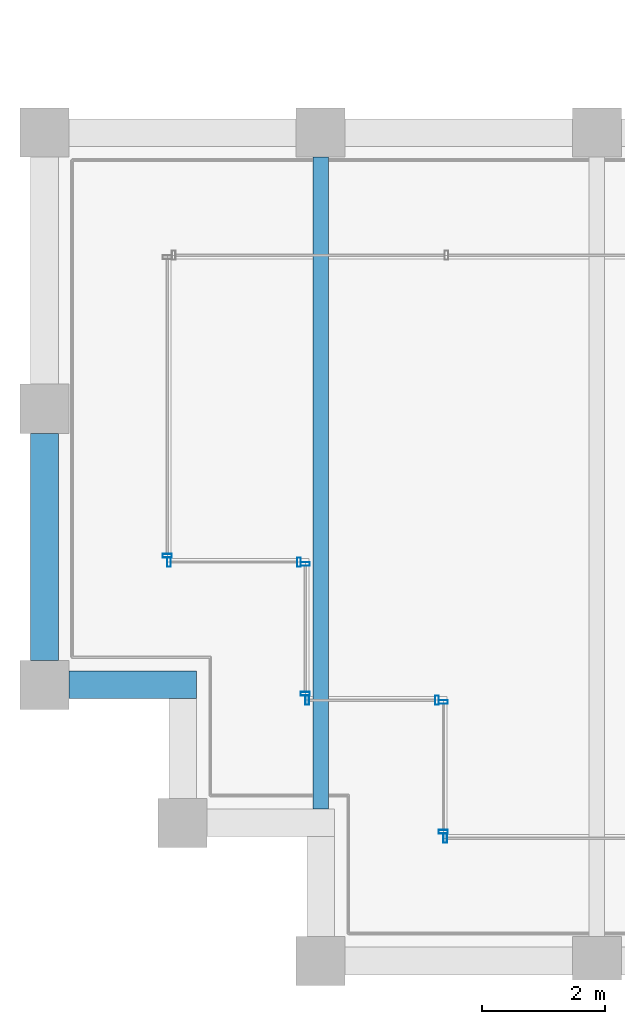
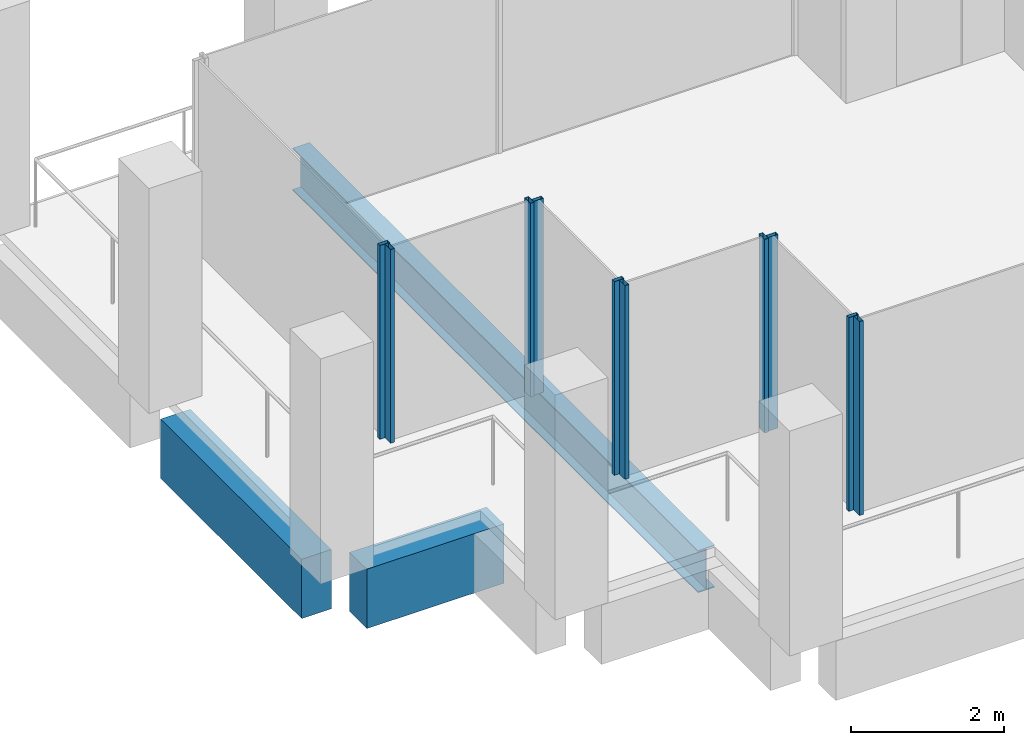
# One storey, part 2 of 30: 10 members, 3 beams, 6 elements without a shape of their own.
"""IFC4 building model written with IfcOpenShell, lengths in metres."""

from ifc_helpers import new_model, si_unit, direction, frame, origin, origin_2d, place, context, subcontext, project, spatial, rectangle, hollow_rectangle, i_section, extrude, material, material_profile, profile_set, type_object, element, aggregate, save


model = new_model("IFC4")

# Units and contexts
model_context = context("Model", 3, precision=1e-05, world=origin(), true_north=direction((0.0, 1.0)))
body_context = subcontext(model_context, "Body", "Model", "MODEL_VIEW")
ifc_project = project(units=[si_unit("LENGTHUNIT", "METRE"), si_unit("AREAUNIT", "SQUARE_METRE"), si_unit("VOLUMEUNIT", "CUBIC_METRE"), si_unit("PLANEANGLEUNIT", "RADIAN"), si_unit("MASSUNIT", "GRAM", prefix="KILO")], contexts=[model_context])

# Site, building, storey
site_placement = place(None, origin())
site = spatial("IfcSite", under=ifc_project, at=site_placement, CompositionType="ELEMENT")
building_placement = place(site_placement, origin())
building = spatial("IfcBuilding", under=site, at=building_placement, Name="Altepetl Exchange Towers", CompositionType="ELEMENT")
storey_placement = place(building_placement, frame((0.0, 0.0, 235.199951171875)))
storey = spatial("IfcBuildingStorey", under=building, at=storey_placement, Name="L60", CompositionType="ELEMENT", Elevation=235.199951171875)

# Beam
ifc_material_1 = material(Name="Steel S355", Category="steel")
ifc_material_profile_1 = material_profile(ifc_material_1, i_section(OverallWidth=0.2529296875, OverallDepth=0.677978515625, WebThickness=0.01171875, FlangeThickness=0.016357421875, at=origin_2d()), Name="W27X84")
ifc_profile_set_1 = profile_set([ifc_material_profile_1], Name="Steel S355")
beam_type_1 = type_object("IfcBeamType", Name="Floor beam W27X84", PredefinedType="BEAM", material=ifc_profile_set_1)
beam_1_placement = place(storey_placement, frame((31.5, 29.47509765625, -0.489013671875), z_axis=(0.0, 1.0, 0.0), x_axis=(-1.0, 0.0, 0.0)))
element("IfcBeam", 1, at=beam_1_placement, inside=storey, type_object=beam_type_1, Name="bm:A:L60:012", PredefinedType="BEAM", context=body_context, shape_type="SweptSolid", body=[
    extrude(i_section(OverallWidth=0.2529296875, OverallDepth=0.677978515625, WebThickness=0.01171875, FlangeThickness=0.016357421875, at=origin_2d()), origin(), (0.0, 0.0, 1.0), 10.625),
])

# Curtain wall, member
ifc_material_2 = material(Name="Aluminium 6063-T6 glazing", Category="aluminium")
curtain_wall_type = type_object("IfcCurtainWallType", Name="Loggia glazing system", PredefinedType="NOTDEFINED", material=ifc_material_2)
curtain_wall_1_placement = place(storey_placement, origin())
curtain_wall_1 = element("IfcCurtainWall", 2, at=curtain_wall_1_placement, inside=storey, type_object=curtain_wall_type, Name="CW1 run", PredefinedType="NOTDEFINED")
ifc_material_3 = material(Name="Aluminium 6063-T6", Category="aluminium")
ifc_material_profile_2 = material_profile(ifc_material_3, hollow_rectangle(XDim=0.06005859375, YDim=0.14990234375, WallThickness=0.0029296875, at=origin_2d()), Name="Mullion 60x150 aluminium")
ifc_profile_set_2 = profile_set([ifc_material_profile_2], Name="Aluminium 6063-T6")
member_type = type_object("IfcMemberType", Name="Mullion 60x150 aluminium", PredefinedType="MULLION", material=ifc_profile_set_2)
member_1_placement = place(storey_placement, frame((29.0, 33.60498046875, 0.0), z_axis=(0.0, 0.0, 1.0), x_axis=(0.0, -1.0, 0.0)))
member_1 = element("IfcMember", 3, at=member_1_placement, type_object=member_type, Name="MU1 mullion", PredefinedType="MULLION", context=body_context, shape_type="SweptSolid", body=[
    extrude(hollow_rectangle(XDim=0.06005859375, YDim=0.14990234375, WallThickness=0.0029296875, at=origin_2d()), origin(), (0.0, 0.0, 1.0), 3.10009765625),
])
aggregate(curtain_wall_1, [member_1])

# Curtain wall, members
curtain_wall_2_placement = place(storey_placement, origin())
curtain_wall_2 = element("IfcCurtainWall", 4, at=curtain_wall_2_placement, inside=storey, type_object=curtain_wall_type, Name="CW1 run", PredefinedType="NOTDEFINED")
member_2_placement = place(storey_placement, frame((29.030029296875, 33.5, 0.0)))
member_2 = element("IfcMember", 5, at=member_2_placement, type_object=member_type, Name="MU1 mullion", PredefinedType="MULLION", context=body_context, shape_type="SweptSolid", body=[
    extrude(hollow_rectangle(XDim=0.06005859375, YDim=0.14990234375, WallThickness=0.0029296875, at=origin_2d()), origin(), (0.0, 0.0, 1.0), 3.10009765625),
])
member_3_placement = place(storey_placement, frame((31.14501953125, 33.5, 0.0)))
member_3 = element("IfcMember", 6, at=member_3_placement, type_object=member_type, Name="MU1 mullion", PredefinedType="MULLION", context=body_context, shape_type="SweptSolid", body=[
    extrude(hollow_rectangle(XDim=0.06005859375, YDim=0.14990234375, WallThickness=0.0029296875, at=origin_2d()), origin(), (0.0, 0.0, 1.0), 3.10009765625),
])
aggregate(curtain_wall_2, [member_2, member_3])

curtain_wall_3_placement = place(storey_placement, origin())
curtain_wall_3 = element("IfcCurtainWall", 7, at=curtain_wall_3_placement, inside=storey, type_object=curtain_wall_type, Name="CW1 run", PredefinedType="NOTDEFINED")
member_4_placement = place(storey_placement, frame((31.25, 33.469970703125, 0.0), z_axis=(0.0, 0.0, 1.0), x_axis=(0.0, -1.0, 0.0)))
member_4 = element("IfcMember", 8, at=member_4_placement, type_object=member_type, Name="MU1 mullion", PredefinedType="MULLION", context=body_context, shape_type="SweptSolid", body=[
    extrude(hollow_rectangle(XDim=0.06005859375, YDim=0.14990234375, WallThickness=0.0029296875, at=origin_2d()), origin(), (0.0, 0.0, 1.0), 3.10009765625),
])
member_5_placement = place(storey_placement, frame((31.25, 31.35498046875, 0.0), z_axis=(0.0, 0.0, 1.0), x_axis=(0.0, -1.0, 0.0)))
member_5 = element("IfcMember", 9, at=member_5_placement, type_object=member_type, Name="MU1 mullion", PredefinedType="MULLION", context=body_context, shape_type="SweptSolid", body=[
    extrude(hollow_rectangle(XDim=0.06005859375, YDim=0.14990234375, WallThickness=0.0029296875, at=origin_2d()), origin(), (0.0, 0.0, 1.0), 3.10009765625),
])
aggregate(curtain_wall_3, [member_4, member_5])

curtain_wall_4_placement = place(storey_placement, origin())
curtain_wall_4 = element("IfcCurtainWall", 10, at=curtain_wall_4_placement, inside=storey, type_object=curtain_wall_type, Name="CW1 run", PredefinedType="NOTDEFINED")
member_6_placement = place(storey_placement, frame((31.280029296875, 31.25, 0.0)))
member_6 = element("IfcMember", 11, at=member_6_placement, type_object=member_type, Name="MU1 mullion", PredefinedType="MULLION", context=body_context, shape_type="SweptSolid", body=[
    extrude(hollow_rectangle(XDim=0.06005859375, YDim=0.14990234375, WallThickness=0.0029296875, at=origin_2d()), origin(), (0.0, 0.0, 1.0), 3.10009765625),
])
member_7_placement = place(storey_placement, frame((33.39501953125, 31.25, 0.0)))
member_7 = element("IfcMember", 12, at=member_7_placement, type_object=member_type, Name="MU1 mullion", PredefinedType="MULLION", context=body_context, shape_type="SweptSolid", body=[
    extrude(hollow_rectangle(XDim=0.06005859375, YDim=0.14990234375, WallThickness=0.0029296875, at=origin_2d()), origin(), (0.0, 0.0, 1.0), 3.10009765625),
])
aggregate(curtain_wall_4, [member_6, member_7])

curtain_wall_5_placement = place(storey_placement, origin())
curtain_wall_5 = element("IfcCurtainWall", 13, at=curtain_wall_5_placement, inside=storey, type_object=curtain_wall_type, Name="CW1 run", PredefinedType="NOTDEFINED")
member_8_placement = place(storey_placement, frame((33.5, 31.219970703125, 0.0), z_axis=(0.0, 0.0, 1.0), x_axis=(0.0, -1.0, 0.0)))
member_8 = element("IfcMember", 14, at=member_8_placement, type_object=member_type, Name="MU1 mullion", PredefinedType="MULLION", context=body_context, shape_type="SweptSolid", body=[
    extrude(hollow_rectangle(XDim=0.06005859375, YDim=0.14990234375, WallThickness=0.0029296875, at=origin_2d()), origin(), (0.0, 0.0, 1.0), 3.10009765625),
])
member_9_placement = place(storey_placement, frame((33.5, 29.10498046875, 0.0), z_axis=(0.0, 0.0, 1.0), x_axis=(0.0, -1.0, 0.0)))
member_9 = element("IfcMember", 15, at=member_9_placement, type_object=member_type, Name="MU1 mullion", PredefinedType="MULLION", context=body_context, shape_type="SweptSolid", body=[
    extrude(hollow_rectangle(XDim=0.06005859375, YDim=0.14990234375, WallThickness=0.0029296875, at=origin_2d()), origin(), (0.0, 0.0, 1.0), 3.10009765625),
])
aggregate(curtain_wall_5, [member_8, member_9])

# Curtain wall, member
curtain_wall_6_placement = place(storey_placement, origin())
curtain_wall_6 = element("IfcCurtainWall", 16, at=curtain_wall_6_placement, inside=storey, type_object=curtain_wall_type, Name="CW1 run", PredefinedType="NOTDEFINED")
member_10_placement = place(storey_placement, frame((33.530029296875, 29.0, 0.0)))
member_10 = element("IfcMember", 17, at=member_10_placement, type_object=member_type, Name="MU1 mullion", PredefinedType="MULLION", context=body_context, shape_type="SweptSolid", body=[
    extrude(hollow_rectangle(XDim=0.06005859375, YDim=0.14990234375, WallThickness=0.0029296875, at=origin_2d()), origin(), (0.0, 0.0, 1.0), 3.10009765625),
])
aggregate(curtain_wall_6, [member_10])

# Beams
ifc_material_4 = material(Name="Concrete C50/60 precast with cantera blanca facing", Category="concrete")
ifc_material_profile_3 = material_profile(ifc_material_4, rectangle(XDim=0.449951171875, YDim=0.949951171875, at=origin_2d()), Name="450 x 950")
ifc_profile_set_3 = profile_set([ifc_material_profile_3], Name="Concrete C50/60 precast with cantera blanca facing")
beam_type_2 = type_object("IfcBeamType", Name="Spandrel beam 450x950 cantera blanca", PredefinedType="SPANDREL", material=ifc_profile_set_3)
beam_2_placement = place(storey_placement, frame((27.0, 35.60009765625, -0.625), z_axis=(0.0, -1.0, 0.0), x_axis=(1.0, 0.0, 0.0)))
element("IfcBeam", 18, at=beam_2_placement, inside=storey, type_object=beam_type_2, Name="sp:A:L60:037", PredefinedType="SPANDREL", context=body_context, shape_type="SweptSolid", body=[
    extrude(rectangle(XDim=0.449951171875, YDim=0.949951171875, at=origin_2d()), origin(), (0.0, 0.0, 1.0), 3.7001953125),
])
beam_3_placement = place(storey_placement, frame((27.39990234375, 31.5, -0.625), z_axis=(1.0, 0.0, 0.0), x_axis=(0.0, 1.0, 0.0)))
element("IfcBeam", 19, at=beam_3_placement, inside=storey, type_object=beam_type_2, Name="sp:A:L60:038", PredefinedType="SPANDREL", context=body_context, shape_type="SweptSolid", body=[
    extrude(rectangle(XDim=0.449951171875, YDim=0.949951171875, at=origin_2d()), origin(), (0.0, 0.0, 1.0), 2.0751953125),
])

save(model, "model.ifc")
